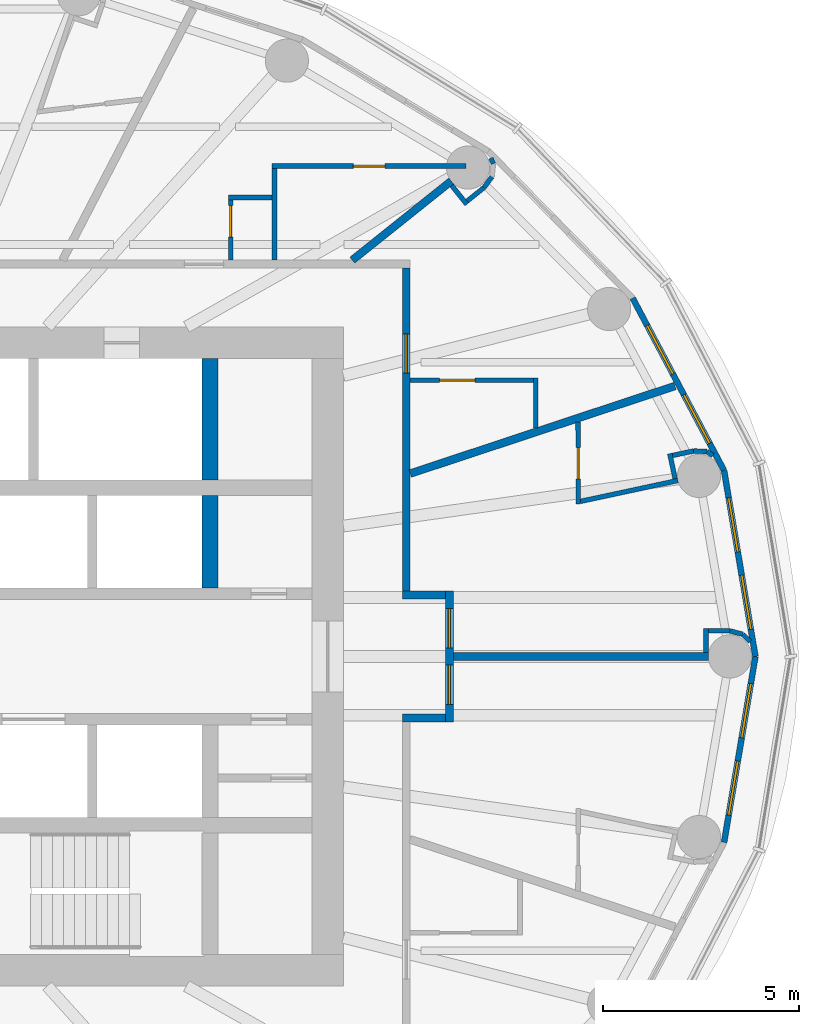
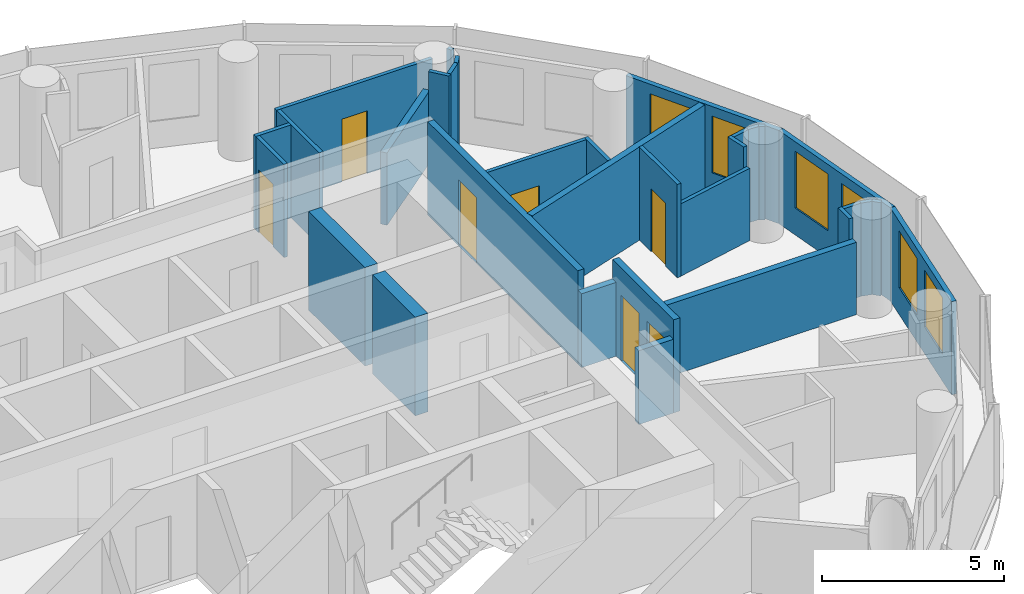
# One storey, part 11 of 16: 32 walls, 7 doors, 6 windows, 13 openings.
"""IFC4 building model written with IfcOpenShell, lengths in metres."""

from ifc_helpers import new_model, si_unit, direction, frame, frame_2d, origin, place, context, subcontext, project, spatial, rectangle, extrude, material, layer, layer_set, type_object, element, fill, save


model = new_model("IFC4")

# Units and contexts
model_context = context("Model", 3, precision=1e-05, world=origin(), true_north=direction((0.0, 1.0)))
body_context = subcontext(model_context, "Body", "Model", "MODEL_VIEW")
ifc_project = project(units=[si_unit("LENGTHUNIT", "METRE"), si_unit("AREAUNIT", "SQUARE_METRE"), si_unit("VOLUMEUNIT", "CUBIC_METRE"), si_unit("PLANEANGLEUNIT", "RADIAN"), si_unit("MASSUNIT", "GRAM", prefix="KILO")], contexts=[model_context])

# Site, building, storey
site_placement = place(None, origin())
site = spatial("IfcSite", under=ifc_project, at=site_placement, CompositionType="ELEMENT")
building_placement = place(site_placement, origin())
building = spatial("IfcBuilding", under=site, at=building_placement, Name="Hankou Lantern Tower", CompositionType="ELEMENT")
storey_placement = place(building_placement, frame((0.0, 0.0, 153.300048828125)))
storey = spatial("IfcBuildingStorey", under=building, at=storey_placement, Name="L40", CompositionType="ELEMENT", Elevation=153.300048828125)

# Walls
ifc_material_1 = material(Name="Concrete C60", Category="concrete")
ifc_layer_1 = layer(ifc_material_1, 0.39990234375)
ifc_layer_set_1 = layer_set([ifc_layer_1], Name="Concrete C60")
wall_type_1 = type_object("IfcWallType", Name="CW4 CORE CROSS WALL 400", PredefinedType="SHEAR", material=ifc_layer_set_1)
wall_1_placement = place(storey_placement, frame((9.0, 4.5, 0.0), z_axis=(0.0, 0.0, 1.0), x_axis=(0.0, 1.0, 0.0)))
element("IfcWall", 1, at=wall_1_placement, inside=storey, type_object=wall_type_1, Name="Core strip wall L40", PredefinedType="SHEAR", context=body_context, shape_type="SweptSolid", body=[
    extrude(rectangle(XDim=3.10009765625, YDim=0.39990234375, at=frame_2d((1.550048828125, 0.0))), origin(), (0.0, 0.0, 1.0), 3.300048828125),
])
wall_2_placement = place(storey_placement, frame((9.0, 1.75, 0.0), z_axis=(0.0, 0.0, 1.0), x_axis=(0.0, 1.0, 0.0)))
element("IfcWall", 2, at=wall_2_placement, inside=storey, type_object=wall_type_1, Name="Core strip wall L40", PredefinedType="SHEAR", context=body_context, shape_type="SweptSolid", body=[
    extrude(rectangle(XDim=2.35009765625, YDim=0.39990234375, at=frame_2d((1.175048828125, 0.0))), origin(), (0.0, 0.0, 1.0), 3.300048828125),
])

# Wall, openings, windows
ifc_material_2 = material(Name="Aluminium spandrel panel on steel studs", Category="steel")
ifc_layer_2 = layer(ifc_material_2, 0.14990234375)
ifc_layer_set_2 = layer_set([ifc_layer_2], Name="Aluminium spandrel panel on steel studs")
wall_type_2 = type_object("IfcWallType", Name="EW1 INNER SKIN WALL 150", PredefinedType="ELEMENTEDWALL", material=ifc_layer_set_2)
wall_3_placement = place(storey_placement, frame((22.89990234375, 0.0, 0.0), z_axis=(0.0, 0.0, 1.0), x_axis=(-0.166162111254, 0.986098449843, 0.0)))
wall_3 = element("IfcWall", 3, at=wall_3_placement, inside=storey, type_object=wall_type_2, Name="Inner skin R01-R02 L40", PredefinedType="ELEMENTEDWALL", context=body_context, shape_type="SweptSolid", body=[
    extrude(rectangle(XDim=4.8046875, YDim=0.14990234375, at=frame_2d((2.40234375, 0.0))), origin(), (0.0, 0.0, 1.0), 3.119873046875),
])
opening_1_placement = place(wall_3_placement, frame((0.7021484375, 0.0, 0.89990234375)))
opening_1 = element("IfcOpeningElement", 4, at=opening_1_placement, cuts=wall_3, Name="Opening W3", PredefinedType="OPENING", context=body_context, shape_type="SweptSolid", body=[
    extrude(rectangle(XDim=1.39990234375, YDim=1.89990234375, at=frame_2d((0.699951171875, 0.949951171875))), frame((0.0, 0.0849609375, 0.0), z_axis=(0.0, -1.0, 0.0), x_axis=(1.0, 0.0, 0.0)), (0.0, 0.0, 1.0), 0.169921875),
])
opening_2_placement = place(wall_3_placement, frame((2.7021484375, 0.0, 0.89990234375)))
opening_2 = element("IfcOpeningElement", 5, at=opening_2_placement, cuts=wall_3, Name="Opening W3", PredefinedType="OPENING", context=body_context, shape_type="SweptSolid", body=[
    extrude(rectangle(XDim=1.39990234375, YDim=1.89990234375, at=frame_2d((0.699951171875, 0.949951171875))), frame((0.0, 0.0849609375, 0.0), z_axis=(0.0, -1.0, 0.0), x_axis=(1.0, 0.0, 0.0)), (0.0, 0.0, 1.0), 0.169921875),
])
ifc_material_3 = material(Name="Aluminium framed double glazed window", Category="aluminium")
window_type = type_object("IfcWindowType", Name="W3 GUEST ROOM WINDOW 1400X1900", PartitioningType="DOUBLE_PANEL_VERTICAL", PredefinedType="WINDOW", material=ifc_material_3)
window_1_placement = place(opening_1_placement, origin())
window_1 = element("IfcWindow", 6, at=window_1_placement, inside=storey, type_object=window_type, Name="Window R01.1 L40", OverallHeight=1.89990234375, OverallWidth=1.39990234375, PartitioningType="SINGLE_PANEL", PredefinedType="WINDOW", context=body_context, shape_type="SweptSolid", body=[
    extrude(rectangle(XDim=1.39990234375, YDim=1.89990234375, at=frame_2d((0.699951171875, 0.949951171875))), frame((0.0, 0.030029296875, 0.0), z_axis=(0.0, -1.0, 0.0), x_axis=(1.0, 0.0, 0.0)), (0.0, 0.0, 1.0), 0.06005859375),
])
fill(opening_1, window_1)
window_2_placement = place(opening_2_placement, origin())
window_2 = element("IfcWindow", 7, at=window_2_placement, inside=storey, type_object=window_type, Name="Window R01.2 L40", OverallHeight=1.89990234375, OverallWidth=1.39990234375, PartitioningType="SINGLE_PANEL", PredefinedType="WINDOW", context=body_context, shape_type="SweptSolid", body=[
    extrude(rectangle(XDim=1.39990234375, YDim=1.89990234375, at=frame_2d((0.699951171875, 0.949951171875))), frame((0.0, 0.030029296875, 0.0), z_axis=(0.0, -1.0, 0.0), x_axis=(1.0, 0.0, 0.0)), (0.0, 0.0, 1.0), 0.06005859375),
])
fill(opening_2, window_2)

wall_4_placement = place(storey_placement, frame((22.1015625, 4.73779296875, 0.0), z_axis=(0.0, 0.0, 1.0), x_axis=(-0.468428906714, 0.883501193748, 0.0)))
wall_4 = element("IfcWall", 8, at=wall_4_placement, inside=storey, type_object=wall_type_2, Name="Inner skin R02-R03 L40", PredefinedType="ELEMENTEDWALL", context=body_context, shape_type="SweptSolid", body=[
    extrude(rectangle(XDim=4.9736328125, YDim=0.14990234375, at=frame_2d((2.48681640625, 0.0))), origin(), (0.0, 0.0, 1.0), 3.119873046875),
])
opening_3_placement = place(wall_4_placement, frame((0.786865234375, 0.0, 0.89990234375)))
opening_3 = element("IfcOpeningElement", 9, at=opening_3_placement, cuts=wall_4, Name="Opening W3", PredefinedType="OPENING", context=body_context, shape_type="SweptSolid", body=[
    extrude(rectangle(XDim=1.39990234375, YDim=1.89990234375, at=frame_2d((0.699951171875, 0.949951171875))), frame((0.0, 0.0849609375, 0.0), z_axis=(0.0, -1.0, 0.0), x_axis=(1.0, 0.0, 0.0)), (0.0, 0.0, 1.0), 0.169921875),
])
opening_4_placement = place(wall_4_placement, frame((2.786865234375, 0.0, 0.89990234375)))
opening_4 = element("IfcOpeningElement", 10, at=opening_4_placement, cuts=wall_4, Name="Opening W3", PredefinedType="OPENING", context=body_context, shape_type="SweptSolid", body=[
    extrude(rectangle(XDim=1.39990234375, YDim=1.89990234375, at=frame_2d((0.699951171875, 0.949951171875))), frame((0.0, 0.0849609375, 0.0), z_axis=(0.0, -1.0, 0.0), x_axis=(1.0, 0.0, 0.0)), (0.0, 0.0, 1.0), 0.169921875),
])
window_3_placement = place(opening_3_placement, origin())
window_3 = element("IfcWindow", 11, at=window_3_placement, inside=storey, type_object=window_type, Name="Window R02.1 L40", OverallHeight=1.89990234375, OverallWidth=1.39990234375, PartitioningType="SINGLE_PANEL", PredefinedType="WINDOW", context=body_context, shape_type="SweptSolid", body=[
    extrude(rectangle(XDim=1.39990234375, YDim=1.89990234375, at=frame_2d((0.699951171875, 0.949951171875))), frame((0.0, 0.030029296875, 0.0), z_axis=(0.0, -1.0, 0.0), x_axis=(1.0, 0.0, 0.0)), (0.0, 0.0, 1.0), 0.06005859375),
])
fill(opening_3, window_3)
window_4_placement = place(opening_4_placement, origin())
window_4 = element("IfcWindow", 12, at=window_4_placement, inside=storey, type_object=window_type, Name="Window R02.2 L40", OverallHeight=1.89990234375, OverallWidth=1.39990234375, PartitioningType="SINGLE_PANEL", PredefinedType="WINDOW", context=body_context, shape_type="SweptSolid", body=[
    extrude(rectangle(XDim=1.39990234375, YDim=1.89990234375, at=frame_2d((0.699951171875, 0.949951171875))), frame((0.0, 0.030029296875, 0.0), z_axis=(0.0, -1.0, 0.0), x_axis=(1.0, 0.0, 0.0)), (0.0, 0.0, 1.0), 0.06005859375),
])
fill(opening_4, window_4)

wall_5_placement = place(storey_placement, frame((22.1015625, -4.73779296875, 0.0), z_axis=(0.0, 0.0, 1.0), x_axis=(0.166162111254, 0.986098449843, 0.0)))
wall_5 = element("IfcWall", 13, at=wall_5_placement, inside=storey, type_object=wall_type_2, Name="Inner skin R24-R01 L40", PredefinedType="ELEMENTEDWALL", context=body_context, shape_type="SweptSolid", body=[
    extrude(rectangle(XDim=4.8046875, YDim=0.14990234375, at=frame_2d((2.40234375, 0.0))), origin(), (0.0, 0.0, 1.0), 3.119873046875),
])
opening_5_placement = place(wall_5_placement, frame((0.7021484375, 0.0, 0.89990234375)))
opening_5 = element("IfcOpeningElement", 14, at=opening_5_placement, cuts=wall_5, Name="Opening W3", PredefinedType="OPENING", context=body_context, shape_type="SweptSolid", body=[
    extrude(rectangle(XDim=1.39990234375, YDim=1.89990234375, at=frame_2d((0.699951171875, 0.949951171875))), frame((0.0, 0.0849609375, 0.0), z_axis=(0.0, -1.0, 0.0), x_axis=(1.0, 0.0, 0.0)), (0.0, 0.0, 1.0), 0.169921875),
])
opening_6_placement = place(wall_5_placement, frame((2.7021484375, 0.0, 0.89990234375)))
opening_6 = element("IfcOpeningElement", 15, at=opening_6_placement, cuts=wall_5, Name="Opening W3", PredefinedType="OPENING", context=body_context, shape_type="SweptSolid", body=[
    extrude(rectangle(XDim=1.39990234375, YDim=1.89990234375, at=frame_2d((0.699951171875, 0.949951171875))), frame((0.0, 0.0849609375, 0.0), z_axis=(0.0, -1.0, 0.0), x_axis=(1.0, 0.0, 0.0)), (0.0, 0.0, 1.0), 0.169921875),
])
window_5_placement = place(opening_5_placement, origin())
window_5 = element("IfcWindow", 16, at=window_5_placement, inside=storey, type_object=window_type, Name="Window R24.1 L40", OverallHeight=1.89990234375, OverallWidth=1.39990234375, PartitioningType="SINGLE_PANEL", PredefinedType="WINDOW", context=body_context, shape_type="SweptSolid", body=[
    extrude(rectangle(XDim=1.39990234375, YDim=1.89990234375, at=frame_2d((0.699951171875, 0.949951171875))), frame((0.0, 0.030029296875, 0.0), z_axis=(0.0, -1.0, 0.0), x_axis=(1.0, 0.0, 0.0)), (0.0, 0.0, 1.0), 0.06005859375),
])
fill(opening_5, window_5)
window_6_placement = place(opening_6_placement, origin())
window_6 = element("IfcWindow", 17, at=window_6_placement, inside=storey, type_object=window_type, Name="Window R24.2 L40", OverallHeight=1.89990234375, OverallWidth=1.39990234375, PartitioningType="SINGLE_PANEL", PredefinedType="WINDOW", context=body_context, shape_type="SweptSolid", body=[
    extrude(rectangle(XDim=1.39990234375, YDim=1.89990234375, at=frame_2d((0.699951171875, 0.949951171875))), frame((0.0, 0.030029296875, 0.0), z_axis=(0.0, -1.0, 0.0), x_axis=(1.0, 0.0, 0.0)), (0.0, 0.0, 1.0), 0.06005859375),
])
fill(opening_6, window_6)

# Walls
ifc_material_4 = material(Name="Masonry lightweight concrete block", Category="masonry")
ifc_layer_3 = layer(ifc_material_4, 0.199951171875)
ifc_layer_set_3 = layer_set([ifc_layer_3], Name="Masonry lightweight concrete block")
wall_type_3 = type_object("IfcWallType", Name="IW1 GUEST ROOM PARTY WALL 200", PredefinedType="PARTITIONING", material=ifc_layer_set_3)
wall_6_placement = place(storey_placement, frame((15.199951171875, 0.0, 0.0), z_axis=(0.0, 0.0, 1.0), x_axis=(1.0, 0.0, 0.0)))
element("IfcWall", 18, at=wall_6_placement, inside=storey, type_object=wall_type_3, Name="Party wall R01", PredefinedType="PARTITIONING", context=body_context, shape_type="SweptSolid", body=[
    extrude(rectangle(XDim=6.5, YDim=0.199951171875, at=frame_2d((3.25, 0.0))), origin(), (0.0, 0.0, 1.0), 2.419921875),
])
wall_7_placement = place(storey_placement, frame((14.10009765625, 4.661376953125, 0.0), z_axis=(0.0, 0.0, 1.0), x_axis=(0.949453216399, 0.313908569285, 0.0)))
element("IfcWall", 19, at=wall_7_placement, inside=storey, type_object=wall_type_3, Name="Party wall R02-R03", PredefinedType="PARTITIONING", context=body_context, shape_type="SweptSolid", body=[
    extrude(rectangle(XDim=7.108642578125, YDim=0.199951171875, at=frame_2d((3.55419921875, 0.0))), origin(), (0.0, 0.0, 1.0), 3.119873046875),
])
wall_8_placement = place(storey_placement, frame((12.625, 10.10009765625, 0.0), z_axis=(0.0, 0.0, 1.0), x_axis=(0.780876185034, 0.624685827954, 0.0)))
element("IfcWall", 20, at=wall_8_placement, inside=storey, type_object=wall_type_3, Name="Party wall R04", PredefinedType="PARTITIONING", context=body_context, shape_type="SweptSolid", body=[
    extrude(rectangle(XDim=3.229248046875, YDim=0.199951171875, at=frame_2d((1.61474609375, 0.0))), origin(), (0.0, 0.0, 1.0), 2.419921875),
])

# Wall, openings, doors
ifc_material_5 = material(Name="Masonry lightweight concrete block", Category="masonry")
ifc_layer_4 = layer(ifc_material_5, 0.199951171875)
ifc_layer_set_4 = layer_set([ifc_layer_4], Name="Masonry lightweight concrete block")
wall_type_4 = type_object("IfcWallType", Name="IW2 CORRIDOR WALL 200", PredefinedType="PARTITIONING", material=ifc_layer_set_4)
wall_9_placement = place(storey_placement, frame((15.10009765625, -1.669921875, 0.0), z_axis=(0.0, 0.0, 1.0), x_axis=(0.0, 1.0, 0.0)))
wall_9 = element("IfcWall", 21, at=wall_9_placement, inside=storey, type_object=wall_type_4, Name="Corridor alcove wall 4015-4016 back", PredefinedType="PARTITIONING", context=body_context, shape_type="SweptSolid", body=[
    extrude(rectangle(XDim=3.33984375, YDim=0.199951171875, at=frame_2d((1.669921875, 0.0))), origin(), (0.0, 0.0, 1.0), 3.119873046875),
])
opening_7_placement = place(wall_9_placement, frame((0.449951171875, 0.0, 0.0)))
opening_7 = element("IfcOpeningElement", 22, at=opening_7_placement, cuts=wall_9, Name="Opening D1", PredefinedType="OPENING", context=body_context, shape_type="SweptSolid", body=[
    extrude(rectangle(XDim=1.0, YDim=2.199951171875, at=frame_2d((0.5, 1.10009765625))), frame((0.0, 0.10986328125, 0.0), z_axis=(0.0, -1.0, 0.0), x_axis=(1.0, 0.0, 0.0)), (0.0, 0.0, 1.0), 0.219970703125),
])
opening_8_placement = place(wall_9_placement, frame((1.889892578125, 0.0, 0.0)))
opening_8 = element("IfcOpeningElement", 23, at=opening_8_placement, cuts=wall_9, Name="Opening D1", PredefinedType="OPENING", context=body_context, shape_type="SweptSolid", body=[
    extrude(rectangle(XDim=1.0, YDim=2.199951171875, at=frame_2d((0.5, 1.10009765625))), frame((0.0, 0.10986328125, 0.0), z_axis=(0.0, -1.0, 0.0), x_axis=(1.0, 0.0, 0.0)), (0.0, 0.0, 1.0), 0.219970703125),
])
ifc_material_6 = material(Name="Steel door leaf", Category="steel")
door_type_1 = type_object("IfcDoorType", Name="D1 GUEST ROOM DOOR 1000X2200", OperationType="SINGLE_SWING_LEFT", PredefinedType="DOOR", material=ifc_material_6)
door_1_placement = place(opening_7_placement, origin())
door_1 = element("IfcDoor", 24, at=door_1_placement, inside=storey, type_object=door_type_1, Name="Guest room door 4015", OperationType="SINGLE_SWING_LEFT", OverallHeight=2.199951171875, OverallWidth=1.0, PredefinedType="DOOR", context=body_context, shape_type="SweptSolid", body=[
    extrude(rectangle(XDim=1.0, YDim=2.199951171875, at=frame_2d((0.5, 1.10009765625))), frame((0.0, 0.02490234375, 0.0), z_axis=(0.0, -1.0, 0.0), x_axis=(1.0, 0.0, 0.0)), (0.0, 0.0, 1.0), 0.050048828125),
])
fill(opening_7, door_1)
door_2_placement = place(opening_8_placement, origin())
door_2 = element("IfcDoor", 25, at=door_2_placement, inside=storey, type_object=door_type_1, Name="Guest room door 4016", OperationType="SINGLE_SWING_RIGHT", OverallHeight=2.199951171875, OverallWidth=1.0, PredefinedType="DOOR", context=body_context, shape_type="SweptSolid", body=[
    extrude(rectangle(XDim=1.0, YDim=2.199951171875, at=frame_2d((0.5, 1.10009765625))), frame((0.0, 0.02490234375, 0.0), z_axis=(0.0, -1.0, 0.0), x_axis=(1.0, 0.0, 0.0)), (0.0, 0.0, 1.0), 0.050048828125),
])
fill(opening_8, door_2)

# Walls
for number, where, z_axis, x_axis, name in (
    (26, (13.89990234375, -1.570068359375, 0.0), (0.0, 0.0, 1.0), (1.0, 0.0, 0.0), "Corridor alcove wall 4015-4016 left"),
    (27, (13.89990234375, 1.570068359375, 0.0), (0.0, 0.0, 1.0), (1.0, 0.0, 0.0), "Corridor alcove wall 4015-4016 right"),
):
    element("IfcWall", number, at=place(storey_placement, frame(where, z_axis=z_axis, x_axis=x_axis)), inside=storey, type_object=wall_type_4, Name=name, PredefinedType="PARTITIONING", context=body_context, shape_type="SweptSolid", body=[
        extrude(rectangle(XDim=1.10009765625, YDim=0.199951171875, at=frame_2d((0.550048828125, 0.0))), origin(), (0.0, 0.0, 1.0), 2.469970703125),
    ])

# Wall, opening, door
wall_10_placement = place(storey_placement, frame((14.0, 1.669921875, 0.0), z_axis=(0.0, 0.0, 1.0), x_axis=(0.0, 1.0, 0.0)))
wall_10 = element("IfcWall", 28, at=wall_10_placement, inside=storey, type_object=wall_type_4, Name="Corridor wall east", PredefinedType="PARTITIONING", context=body_context, shape_type="SweptSolid", body=[
    extrude(rectangle(XDim=8.22998046875, YDim=0.199951171875, at=frame_2d((4.114990234375, 0.0))), origin(), (0.0, 0.0, 1.0), 3.119873046875),
])
opening_9_placement = place(wall_10_placement, frame((5.551513671875, 0.0, 0.0)))
opening_9 = element("IfcOpeningElement", 29, at=opening_9_placement, cuts=wall_10, Name="Opening D1", PredefinedType="OPENING", context=body_context, shape_type="SweptSolid", body=[
    extrude(rectangle(XDim=1.0, YDim=2.199951171875, at=frame_2d((0.5, 1.10009765625))), frame((0.0, 0.10986328125, 0.0), z_axis=(0.0, -1.0, 0.0), x_axis=(1.0, 0.0, 0.0)), (0.0, 0.0, 1.0), 0.219970703125),
])
door_3_placement = place(opening_9_placement, origin())
door_3 = element("IfcDoor", 30, at=door_3_placement, inside=storey, type_object=door_type_1, Name="Guest room door 4001", OperationType="SINGLE_SWING_RIGHT", OverallHeight=2.199951171875, OverallWidth=1.0, PredefinedType="DOOR", context=body_context, shape_type="SweptSolid", body=[
    extrude(rectangle(XDim=1.0, YDim=2.199951171875, at=frame_2d((0.5, 1.10009765625))), frame((0.0, 0.02490234375, 0.0), z_axis=(0.0, -1.0, 0.0), x_axis=(1.0, 0.0, 0.0)), (0.0, 0.0, 1.0), 0.050048828125),
])
fill(opening_9, door_3)

# Wall
ifc_material_7 = material(Name="Masonry lightweight concrete block", Category="masonry")
ifc_layer_5 = layer(ifc_material_7, 0.1201171875)
ifc_layer_set_5 = layer_set([ifc_layer_5], Name="Masonry lightweight concrete block")
wall_type_5 = type_object("IfcWallType", Name="IW3 BATHROOM WALL 120", PredefinedType="PARTITIONING", material=ifc_layer_set_5)
wall_11_placement = place(storey_placement, frame((17.300048828125, 5.8193359375, 0.0), z_axis=(0.0, 0.0, 1.0), x_axis=(0.0, 1.0, 0.0)))
element("IfcWall", 31, at=wall_11_placement, inside=storey, type_object=wall_type_5, Name="Box wall 4001 1", PredefinedType="PARTITIONING", context=body_context, shape_type="SweptSolid", body=[
    extrude(rectangle(XDim=1.2822265625, YDim=0.1201171875, at=frame_2d((0.64111328125, 0.0))), origin(), (0.0, 0.0, 1.0), 3.119873046875),
])

# Wall, opening, door
wall_12_placement = place(storey_placement, frame((14.10009765625, 7.04150390625, 0.0), z_axis=(0.0, 0.0, 1.0), x_axis=(1.0, 0.0, 0.0)))
wall_12 = element("IfcWall", 32, at=wall_12_placement, inside=storey, type_object=wall_type_5, Name="Box wall 4001 1", PredefinedType="PARTITIONING", context=body_context, shape_type="SweptSolid", body=[
    extrude(rectangle(XDim=3.139892578125, YDim=0.1201171875, at=frame_2d((1.56982421875, 0.0))), origin(), (0.0, 0.0, 1.0), 3.119873046875),
])
opening_10_placement = place(wall_12_placement, frame((0.75, 0.0, 0.0)))
opening_10 = element("IfcOpeningElement", 33, at=opening_10_placement, cuts=wall_12, Name="Opening D26", PredefinedType="OPENING", context=body_context, shape_type="SweptSolid", body=[
    extrude(rectangle(XDim=0.89990234375, YDim=2.10009765625, at=frame_2d((0.449951171875, 1.050048828125))), frame((0.0, 0.070068359375, 0.0), z_axis=(0.0, -1.0, 0.0), x_axis=(1.0, 0.0, 0.0)), (0.0, 0.0, 1.0), 0.14013671875),
])
ifc_material_8 = material(Name="Timber door leaf", Category="wood")
door_type_2 = type_object("IfcDoorType", Name="D26 ACCESSIBLE BATHROOM DOOR 900X2100", OperationType="SLIDING_TO_LEFT", PredefinedType="DOOR", material=ifc_material_8)
door_4_placement = place(opening_10_placement, origin())
door_4 = element("IfcDoor", 34, at=door_4_placement, inside=storey, type_object=door_type_2, Name="Accessible bathroom 4001 door", OperationType="SLIDING_TO_LEFT", OverallHeight=2.10009765625, OverallWidth=0.89990234375, PredefinedType="DOOR", context=body_context, shape_type="SweptSolid", body=[
    extrude(rectangle(XDim=0.89990234375, YDim=2.10009765625, at=frame_2d((0.449951171875, 1.050048828125))), frame((0.0, 0.02490234375, 0.0), z_axis=(0.0, -1.0, 0.0), x_axis=(1.0, 0.0, 0.0)), (0.0, 0.0, 1.0), 0.050048828125),
])
fill(opening_10, door_4)

wall_13_placement = place(storey_placement, frame((15.52490234375, 12.5, 0.0), z_axis=(0.0, 0.0, 1.0), x_axis=(-1.0, 0.0, 0.0)))
wall_13 = element("IfcWall", 35, at=wall_13_placement, inside=storey, type_object=wall_type_5, Name="Box wall 4002 1", PredefinedType="PARTITIONING", context=body_context, shape_type="SweptSolid", body=[
    extrude(rectangle(XDim=4.93994140625, YDim=0.1201171875, at=frame_2d((2.469970703125, 0.0))), origin(), (0.0, 0.0, 1.0), 3.119873046875),
])
opening_11_placement = place(wall_13_placement, frame((2.070068359375, 0.0, 0.0)))
opening_11 = element("IfcOpeningElement", 36, at=opening_11_placement, cuts=wall_13, Name="Opening D3", PredefinedType="OPENING", context=body_context, shape_type="SweptSolid", body=[
    extrude(rectangle(XDim=0.800048828125, YDim=2.10009765625, at=frame_2d((0.39990234375, 1.050048828125))), frame((0.0, 0.070068359375, 0.0), z_axis=(0.0, -1.0, 0.0), x_axis=(1.0, 0.0, 0.0)), (0.0, 0.0, 1.0), 0.14013671875),
])
ifc_material_9 = material(Name="Timber door leaf", Category="wood")
door_type_3 = type_object("IfcDoorType", Name="D3 BATHROOM DOOR 800X2100", OperationType="SINGLE_SWING_LEFT", PredefinedType="DOOR", material=ifc_material_9)
door_5_placement = place(opening_11_placement, origin())
door_5 = element("IfcDoor", 37, at=door_5_placement, inside=storey, type_object=door_type_3, Name="En-suite bathroom 4002 door", OperationType="SINGLE_SWING_LEFT", OverallHeight=2.10009765625, OverallWidth=0.800048828125, PredefinedType="DOOR", context=body_context, shape_type="SweptSolid", body=[
    extrude(rectangle(XDim=0.800048828125, YDim=2.10009765625, at=frame_2d((0.39990234375, 1.050048828125))), frame((0.0, 0.02490234375, 0.0), z_axis=(0.0, -1.0, 0.0), x_axis=(1.0, 0.0, 0.0)), (0.0, 0.0, 1.0), 0.050048828125),
])
fill(opening_11, door_5)

# Walls
wall_14_placement = place(storey_placement, frame((10.64501953125, 10.10009765625, 0.0), z_axis=(0.0, 0.0, 1.0), x_axis=(0.0, 1.0, 0.0)))
element("IfcWall", 38, at=wall_14_placement, inside=storey, type_object=wall_type_5, Name="Box wall 4002 1", PredefinedType="PARTITIONING", context=body_context, shape_type="SweptSolid", body=[
    extrude(rectangle(XDim=2.33984375, YDim=0.1201171875, at=frame_2d((1.169921875, 0.0))), origin(), (0.0, 0.0, 1.0), 3.119873046875),
])
wall_15_placement = place(storey_placement, frame((10.5849609375, 11.699951171875, 0.0), z_axis=(0.0, 0.0, 1.0), x_axis=(-1.0, 0.0, 0.0)))
element("IfcWall", 39, at=wall_15_placement, inside=storey, type_object=wall_type_5, Name="Box wall 4002 2", PredefinedType="PARTITIONING", context=body_context, shape_type="SweptSolid", body=[
    extrude(rectangle(XDim=1.119873046875, YDim=0.1201171875, at=frame_2d((0.56005859375, 0.0))), origin(), (0.0, 0.0, 1.0), 3.119873046875),
])

# Wall, opening, door
wall_16_placement = place(storey_placement, frame((9.52490234375, 10.10009765625, 0.0), z_axis=(0.0, 0.0, 1.0), x_axis=(0.0, 1.0, 0.0)))
wall_16 = element("IfcWall", 40, at=wall_16_placement, inside=storey, type_object=wall_type_5, Name="Box wall 4002 2", PredefinedType="PARTITIONING", context=body_context, shape_type="SweptSolid", body=[
    extrude(rectangle(XDim=1.539794921875, YDim=0.1201171875, at=frame_2d((0.77001953125, 0.0))), origin(), (0.0, 0.0, 1.0), 3.119873046875),
])
opening_12_placement = place(wall_16_placement, frame((0.590087890625, 0.0, 0.0)))
opening_12 = element("IfcOpeningElement", 41, at=opening_12_placement, cuts=wall_16, Name="Opening D3", PredefinedType="OPENING", context=body_context, shape_type="SweptSolid", body=[
    extrude(rectangle(XDim=0.800048828125, YDim=2.10009765625, at=frame_2d((0.39990234375, 1.050048828125))), frame((0.0, 0.070068359375, 0.0), z_axis=(0.0, -1.0, 0.0), x_axis=(1.0, 0.0, 0.0)), (0.0, 0.0, 1.0), 0.14013671875),
])
door_6_placement = place(opening_12_placement, origin())
door_6 = element("IfcDoor", 42, at=door_6_placement, inside=storey, type_object=door_type_3, Name="En-suite WC 4002 door", OperationType="SINGLE_SWING_LEFT", OverallHeight=2.10009765625, OverallWidth=0.800048828125, PredefinedType="DOOR", context=body_context, shape_type="SweptSolid", body=[
    extrude(rectangle(XDim=0.800048828125, YDim=2.10009765625, at=frame_2d((0.39990234375, 1.050048828125))), frame((0.0, 0.02490234375, 0.0), z_axis=(0.0, -1.0, 0.0), x_axis=(1.0, 0.0, 0.0)), (0.0, 0.0, 1.0), 0.050048828125),
])
fill(opening_12, door_6)

wall_17_placement = place(storey_placement, frame((18.380859375, 5.971435546875, 0.0), z_axis=(0.0, 0.0, 1.0), x_axis=(0.000934142516, -0.999999563689, 0.0)))
wall_17 = element("IfcWall", 43, at=wall_17_placement, inside=storey, type_object=wall_type_5, Name="Box wall 4016 1", PredefinedType="PARTITIONING", context=body_context, shape_type="SweptSolid", body=[
    extrude(rectangle(XDim=2.0908203125, YDim=0.1201171875, at=frame_2d((1.04541015625, 0.0))), origin(), (0.0, 0.0, 1.0), 3.119873046875),
])
opening_13_placement = place(wall_17_placement, frame((0.6455078125, 0.0, 0.0)))
opening_13 = element("IfcOpeningElement", 44, at=opening_13_placement, cuts=wall_17, Name="Opening D3", PredefinedType="OPENING", context=body_context, shape_type="SweptSolid", body=[
    extrude(rectangle(XDim=0.800048828125, YDim=2.10009765625, at=frame_2d((0.39990234375, 1.050048828125))), frame((0.0, 0.070068359375, 0.0), z_axis=(0.0, -1.0, 0.0), x_axis=(1.0, 0.0, 0.0)), (0.0, 0.0, 1.0), 0.14013671875),
])
door_7_placement = place(opening_13_placement, origin())
door_7 = element("IfcDoor", 45, at=door_7_placement, inside=storey, type_object=door_type_3, Name="En-suite bathroom 4016 door", OperationType="SINGLE_SWING_RIGHT", OverallHeight=2.10009765625, OverallWidth=0.800048828125, PredefinedType="DOOR", context=body_context, shape_type="SweptSolid", body=[
    extrude(rectangle(XDim=0.800048828125, YDim=2.10009765625, at=frame_2d((0.39990234375, 1.050048828125))), frame((0.0, 0.02490234375, 0.0), z_axis=(0.0, -1.0, 0.0), x_axis=(1.0, 0.0, 0.0)), (0.0, 0.0, 1.0), 0.050048828125),
])
fill(opening_13, door_7)

# Walls
wall_18_placement = place(storey_placement, frame((18.44140625, 3.953125, 0.0), z_axis=(0.0, 0.0, 1.0), x_axis=(0.977801007461, 0.209535652833, 0.0)))
element("IfcWall", 46, at=wall_18_placement, inside=storey, type_object=wall_type_5, Name="Box wall 4016 2", PredefinedType="PARTITIONING", context=body_context, shape_type="SweptSolid", body=[
    extrude(rectangle(XDim=2.5400390625, YDim=0.1201171875, at=frame_2d((1.27001953125, 0.0))), origin(), (0.0, 0.0, 1.0), 2.419921875),
])
wall_19_placement = place(storey_placement, frame((20.853759765625, 4.531494140625, 0.0), z_axis=(0.0, 0.0, 1.0), x_axis=(-0.209631346779, 0.977780496046, 0.0)))
element("IfcWall", 47, at=wall_19_placement, inside=storey, type_object=wall_type_5, Name="Column casing 4016 return", PredefinedType="PARTITIONING", context=body_context, shape_type="SweptSolid", body=[
    extrude(rectangle(XDim=0.652099609375, YDim=0.1201171875, at=frame_2d((0.326171875, 0.0))), origin(), (0.0, 0.0, 1.0), 3.119873046875),
])
wall_20_placement = place(storey_placement, frame((20.788330078125, 5.123291015625, 0.0), z_axis=(0.0, 0.0, 1.0), x_axis=(0.977789415726, 0.209589738521, 0.0)))
element("IfcWall", 48, at=wall_20_placement, inside=storey, type_object=wall_type_5, Name="Column casing 4016", PredefinedType="PARTITIONING", context=body_context, shape_type="SweptSolid", body=[
    extrude(rectangle(XDim=0.5498046875, YDim=0.1201171875, at=frame_2d((0.27490234375, 0.0))), origin(), (0.0, 0.0, 1.0), 3.119873046875),
])
wall_21_placement = place(storey_placement, frame((21.325927734375, 5.238525390625, 0.0), z_axis=(0.0, 0.0, 1.0), x_axis=(0.998719689441, -0.050586380797, 0.0)))
element("IfcWall", 49, at=wall_21_placement, inside=storey, type_object=wall_type_5, Name="Column casing 4016", PredefinedType="PARTITIONING", context=body_context, shape_type="SweptSolid", body=[
    extrude(rectangle(XDim=0.337890625, YDim=0.1201171875, at=frame_2d((0.1689453125, 0.0))), origin(), (0.0, 0.0, 1.0), 3.119873046875),
])
wall_22_placement = place(storey_placement, frame((21.663330078125, 5.221435546875, 0.0), z_axis=(0.0, 0.0, 1.0), x_axis=(0.839279022252, -0.543700949795, 0.0)))
element("IfcWall", 50, at=wall_22_placement, inside=storey, type_object=wall_type_5, Name="Column casing 4016", PredefinedType="PARTITIONING", context=body_context, shape_type="SweptSolid", body=[
    extrude(rectangle(XDim=0.18017578125, YDim=0.1201171875, at=frame_2d((0.090087890625, 0.0))), origin(), (0.0, 0.0, 1.0), 3.119873046875),
])
ifc_material_10 = material(Name="Masonry lightweight concrete block", Category="masonry")
ifc_layer_6 = layer(ifc_material_10, 0.1201171875)
ifc_layer_set_6 = layer_set([ifc_layer_6], Name="Masonry lightweight concrete block")
wall_type_6 = type_object("IfcWallType", Name="IW4 PARTITION 120", PredefinedType="PARTITIONING", material=ifc_layer_set_6)
wall_23_placement = place(storey_placement, frame((21.639892578125, 0.10009765625, 0.0), z_axis=(0.0, 0.0, 1.0), x_axis=(0.0, 1.0, 0.0)))
element("IfcWall", 51, at=wall_23_placement, inside=storey, type_object=wall_type_6, Name="Column casing R01 return", PredefinedType="PARTITIONING", context=body_context, shape_type="SweptSolid", body=[
    extrude(rectangle(XDim=0.612060546875, YDim=0.1201171875, at=frame_2d((0.30615234375, 0.0))), origin(), (0.0, 0.0, 1.0), 3.119873046875),
])
wall_24_placement = place(storey_placement, frame((21.699951171875, 0.65234375, 0.0), z_axis=(0.0, 0.0, 1.0), x_axis=(1.0, 0.0, 0.0)))
element("IfcWall", 52, at=wall_24_placement, inside=storey, type_object=wall_type_6, Name="Column casing R01", PredefinedType="PARTITIONING", context=body_context, shape_type="SweptSolid", body=[
    extrude(rectangle(XDim=0.550048828125, YDim=0.1201171875, at=frame_2d((0.27490234375, 0.0))), origin(), (0.0, 0.0, 1.0), 3.119873046875),
])
wall_25_placement = place(storey_placement, frame((22.25, 0.65234375, 0.0), z_axis=(0.0, 0.0, 1.0), x_axis=(0.965922233104, -0.258832454679, 0.0)))
element("IfcWall", 53, at=wall_25_placement, inside=storey, type_object=wall_type_6, Name="Column casing R01", PredefinedType="PARTITIONING", context=body_context, shape_type="SweptSolid", body=[
    extrude(rectangle(XDim=0.337646484375, YDim=0.1201171875, at=frame_2d((0.1689453125, 0.0))), origin(), (0.0, 0.0, 1.0), 3.119873046875),
])
wall_26_placement = place(storey_placement, frame((22.576171875, 0.56494140625, 0.0), z_axis=(0.0, 0.0, 1.0), x_axis=(0.706639272724, -0.707573980757, 0.0)))
element("IfcWall", 54, at=wall_26_placement, inside=storey, type_object=wall_type_6, Name="Column casing R01", PredefinedType="PARTITIONING", context=body_context, shape_type="SweptSolid", body=[
    extrude(rectangle(XDim=0.26123046875, YDim=0.1201171875, at=frame_2d((0.130615234375, 0.0))), origin(), (0.0, 0.0, 1.0), 3.119873046875),
])
wall_27_placement = place(storey_placement, frame((15.162353515625, 12.001708984375, 0.0), z_axis=(0.0, 0.0, 1.0), x_axis=(0.624597762427, -0.780946627607, 0.0)))
element("IfcWall", 55, at=wall_27_placement, inside=storey, type_object=wall_type_6, Name="Column casing R04 return", PredefinedType="PARTITIONING", context=body_context, shape_type="SweptSolid", body=[
    extrude(rectangle(XDim=0.612060546875, YDim=0.1201171875, at=frame_2d((0.30615234375, 0.0))), origin(), (0.0, 0.0, 1.0), 3.119873046875),
])
wall_28_placement = place(storey_placement, frame((15.55419921875, 11.60791015625, 0.0), z_axis=(0.0, 0.0, 1.0), x_axis=(0.780695577787, 0.624911525597, 0.0)))
element("IfcWall", 56, at=wall_28_placement, inside=storey, type_object=wall_type_6, Name="Column casing R04", PredefinedType="PARTITIONING", context=body_context, shape_type="SweptSolid", body=[
    extrude(rectangle(XDim=0.550048828125, YDim=0.1201171875, at=frame_2d((0.27490234375, 0.0))), origin(), (0.0, 0.0, 1.0), 3.119873046875),
])
wall_29_placement = place(storey_placement, frame((15.983642578125, 11.95166015625, 0.0), z_axis=(0.0, 0.0, 1.0), x_axis=(0.592335221171, 0.805691619517, 0.0)))
element("IfcWall", 57, at=wall_29_placement, inside=storey, type_object=wall_type_6, Name="Column casing R04", PredefinedType="PARTITIONING", context=body_context, shape_type="SweptSolid", body=[
    extrude(rectangle(XDim=0.337646484375, YDim=0.1201171875, at=frame_2d((0.1689453125, 0.0))), origin(), (0.0, 0.0, 1.0), 3.119873046875),
])
wall_30_placement = place(storey_placement, frame((16.220947265625, 12.55908203125, 0.0), z_axis=(0.0, 0.0, 1.0), x_axis=(-0.401064416249, 0.916049853457, 0.0)))
element("IfcWall", 58, at=wall_30_placement, inside=storey, type_object=wall_type_6, Name="Column casing R04", PredefinedType="PARTITIONING", context=body_context, shape_type="SweptSolid", body=[
    extrude(rectangle(XDim=0.156494140625, YDim=0.1201171875, at=frame_2d((0.078125, 0.0))), origin(), (0.0, 0.0, 1.0), 3.119873046875),
])

save(model, "model.ifc")
